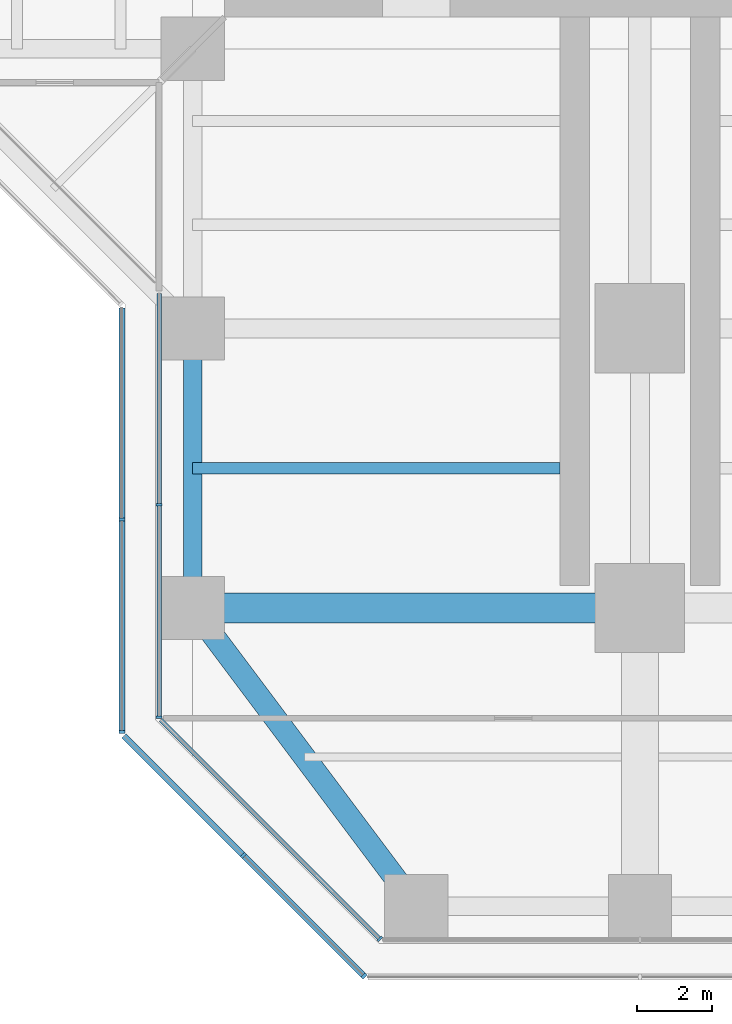
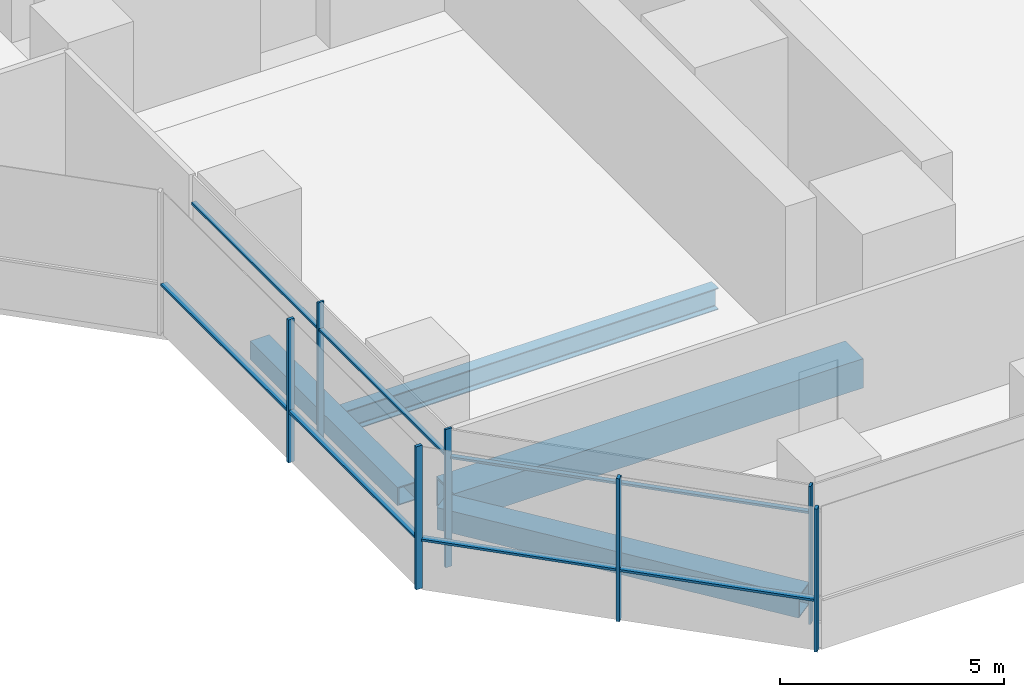
# One storey, part 2 of 22: 14 members, 4 beams, 4 elements without a shape of their own.
"""IFC4 building model written with IfcOpenShell, lengths in metres."""

from ifc_helpers import new_model, si_unit, direction, frame, origin, origin_2d, place, context, subcontext, project, spatial, rectangle, hollow_rectangle, i_section, extrude, material, material_profile, profile_set, type_object, element, aggregate, save


model = new_model("IFC4")

# Units and contexts
model_context = context("Model", 3, precision=1e-05, world=origin(), true_north=direction((0.0, 1.0)))
body_context = subcontext(model_context, "Body", "Model", "MODEL_VIEW")
ifc_project = project(units=[si_unit("LENGTHUNIT", "METRE"), si_unit("AREAUNIT", "SQUARE_METRE"), si_unit("VOLUMEUNIT", "CUBIC_METRE"), si_unit("PLANEANGLEUNIT", "RADIAN"), si_unit("MASSUNIT", "GRAM", prefix="KILO")], contexts=[model_context])

# Site, building, storey
site_placement = place(None, origin())
site = spatial("IfcSite", under=ifc_project, at=site_placement, CompositionType="ELEMENT")
building_placement = place(site_placement, origin())
building = spatial("IfcBuilding", under=site, at=building_placement, Name="Mizan Broadcast Tower", CompositionType="ELEMENT")
storey_placement = place(building_placement, frame((0.0, 0.0, 74.699951171875)))
storey = spatial("IfcBuildingStorey", under=building, at=storey_placement, Name="L15", CompositionType="ELEMENT", Elevation=74.699951171875)

# Beams
ifc_material_1 = material(Name="Steel S355", Category="steel")
ifc_material_profile_1 = material_profile(ifc_material_1, hollow_rectangle(XDim=0.5, YDim=0.5, WallThickness=0.030029296875, at=origin_2d()), Name="BOX 500x500x30")
ifc_profile_set_1 = profile_set([ifc_material_profile_1], Name="Steel S355")
beam_type_1 = type_object("IfcBeamType", Name="EDGE BEAM BOX 500x500x30", PredefinedType="SPANDREL", material=ifc_profile_set_1)
beam_1_placement = place(storey_placement, frame((-12.0, -19.949951171875, -0.3798828125), z_axis=(0.0, -1.0, 0.0), x_axis=(1.0, 0.0, 0.0)))
element("IfcBeam", 1, at=beam_1_placement, inside=storey, type_object=beam_type_1, Name="Edge beam BOX 500x500x30 L15 south arm", PredefinedType="SPANDREL", context=body_context, shape_type="SweptSolid", body=[
    extrude(hollow_rectangle(XDim=0.5, YDim=0.5, WallThickness=0.030029296875, at=origin_2d()), origin(), (0.0, 0.0, 1.0), 6.60009765625),
])
ifc_material_2 = material(Name="Steel S355", Category="steel")
ifc_material_profile_2 = material_profile(ifc_material_2, hollow_rectangle(XDim=0.60009765625, YDim=0.60009765625, WallThickness=0.030029296875, at=origin_2d()), Name="BOX 600x600x30")
ifc_profile_set_2 = profile_set([ifc_material_profile_2], Name="Steel S355")
beam_type_2 = type_object("IfcBeamType", Name="EDGE BEAM BOX 600x600x30", PredefinedType="SPANDREL", material=ifc_profile_set_2)
beam_2_placement = place(storey_placement, frame((-11.639892578125, -27.47998046875, -0.429931640625), z_axis=(0.599982243973, -0.800013316712, 0.0), x_axis=(0.800013316712, 0.599982243973, 0.0)))
element("IfcBeam", 2, at=beam_2_placement, inside=storey, type_object=beam_type_2, Name="Edge beam BOX 600x600x30 L15 south arm", PredefinedType="SPANDREL", context=body_context, shape_type="SweptSolid", body=[
    extrude(hollow_rectangle(XDim=0.60009765625, YDim=0.60009765625, WallThickness=0.030029296875, at=origin_2d()), origin(), (0.0, 0.0, 1.0), 8.7998046875),
])
ifc_material_3 = material(Name="Steel S460", Category="steel")
ifc_material_profile_3 = material_profile(ifc_material_3, hollow_rectangle(XDim=0.800048828125, YDim=0.800048828125, WallThickness=0.050048828125, at=origin_2d()), Name="BOX 800x800x50")
ifc_profile_set_3 = profile_set([ifc_material_profile_3], Name="Steel S460")
beam_type_3 = type_object("IfcBeamType", Name="GIRDER BOX 800x800x50", PredefinedType="BEAM", material=ifc_profile_set_3)
beam_3_placement = place(storey_placement, frame((-11.280029296875, -27.0, -0.530029296875), z_axis=(1.0, 0.0, 0.0), x_axis=(0.0, 1.0, 0.0)))
element("IfcBeam", 3, at=beam_3_placement, inside=storey, type_object=beam_type_3, Name="Girder BOX 800x800x50 L15 south arm", PredefinedType="BEAM", context=body_context, shape_type="SweptSolid", body=[
    extrude(hollow_rectangle(XDim=0.800048828125, YDim=0.800048828125, WallThickness=0.050048828125, at=origin_2d()), origin(), (0.0, 0.0, 1.0), 10.56005859375),
])

# Curtain wall, members
ifc_material_4 = material(Name="Aluminium framed glazing", Category="aluminium")
curtain_wall_type_1 = type_object("IfcCurtainWallType", Name="INNER SKIN LOW ZONE", PredefinedType="USERDEFINED", material=ifc_material_4)
curtain_wall_1_placement = place(storey_placement, origin())
curtain_wall_1 = element("IfcCurtainWall", 4, at=curtain_wall_1_placement, inside=storey, type_object=curtain_wall_type_1, Name="Inner skin low zone L15 S side", ObjectType="INNER SKIN LOW ZONE", PredefinedType="USERDEFINED")
ifc_material_5 = material(Name="Aluminium, pale anodised", Category="aluminium")
ifc_material_profile_4 = material_profile(ifc_material_5, rectangle(XDim=0.159912109375, YDim=0.06005859375, at=origin_2d()), Name="MULLION 160x60")
ifc_profile_set_4 = profile_set([ifc_material_profile_4], Name="Aluminium, pale anodised")
member_type_1 = type_object("IfcMemberType", Name="INNER SKIN MULLION 60x160", PredefinedType="MULLION", material=ifc_profile_set_4)
member_1_placement = place(storey_placement, frame((-12.89990234375, -24.229248046875, 0.0), z_axis=(0.0, 0.0, 1.0), x_axis=(1.0, 0.0, 0.0)))
member_1 = element("IfcMember", 5, at=member_1_placement, type_object=member_type_1, Name="Inner skin low zone L15 S side mullion 2", PredefinedType="MULLION", context=body_context, shape_type="SweptSolid", body=[
    extrude(rectangle(XDim=0.159912109375, YDim=0.06005859375, at=origin_2d()), origin(), (0.0, 0.0, 1.0), 3.77001953125),
])
member_2_placement = place(storey_placement, frame((-12.89990234375, -29.928466796875, 0.0), z_axis=(0.0, 0.0, 1.0), x_axis=(1.0, 0.0, 0.0)))
member_2 = element("IfcMember", 6, at=member_2_placement, type_object=member_type_1, Name="Inner skin low zone L15 S side mullion 3", PredefinedType="MULLION", context=body_context, shape_type="SweptSolid", body=[
    extrude(rectangle(XDim=0.159912109375, YDim=0.06005859375, at=origin_2d()), origin(), (0.0, 0.0, 1.0), 3.77001953125),
])

# Curtain wall, member
curtain_wall_2_placement = place(storey_placement, origin())
curtain_wall_2 = element("IfcCurtainWall", 7, at=curtain_wall_2_placement, inside=storey, type_object=curtain_wall_type_1, Name="Inner skin low zone L15 S chamfer", ObjectType="INNER SKIN LOW ZONE", PredefinedType="USERDEFINED")
member_3_placement = place(storey_placement, frame((-6.979736328125, -35.87890625, 0.0), z_axis=(0.0, 0.0, 1.0), x_axis=(0.707106781187, 0.707106781187, 0.0)))
member_3 = element("IfcMember", 8, at=member_3_placement, type_object=member_type_1, Name="Inner skin low zone L15 S chamfer mullion 2", PredefinedType="MULLION", context=body_context, shape_type="SweptSolid", body=[
    extrude(rectangle(XDim=0.159912109375, YDim=0.06005859375, at=origin_2d()), origin(), (0.0, 0.0, 1.0), 3.77001953125),
])

# Member
ifc_material_6 = material(Name="Aluminium, pale anodised", Category="aluminium")
ifc_material_profile_5 = material_profile(ifc_material_6, rectangle(XDim=0.1201171875, YDim=0.06005859375, at=origin_2d()), Name="TRANSOM 120x60")
ifc_profile_set_5 = profile_set([ifc_material_profile_5], Name="Aluminium, pale anodised")
member_type_2 = type_object("IfcMemberType", Name="INNER SKIN TRANSOM 60x120", PredefinedType="USERDEFINED", material=ifc_profile_set_5)
member_4_placement = place(storey_placement, frame((-12.89990234375, -18.56005859375, 3.030029296875), z_axis=(0.0, -1.0, 0.0), x_axis=(1.0, 0.0, 0.0)))
member_4 = element("IfcMember", 9, at=member_4_placement, type_object=member_type_2, Name="Inner skin low zone L15 S side transom 1.1", ObjectType="TRANSOM", PredefinedType="USERDEFINED", context=body_context, shape_type="SweptSolid", body=[
    extrude(rectangle(XDim=0.1201171875, YDim=0.06005859375, at=origin_2d()), origin(), (0.0, 0.0, 1.0), 5.63916015625),
])

member_5_placement = place(storey_placement, frame((-12.89990234375, -24.25927734375, 3.030029296875), z_axis=(0.0, -1.0, 0.0), x_axis=(1.0, 0.0, 0.0)))
member_5 = element("IfcMember", 10, at=member_5_placement, type_object=member_type_2, Name="Inner skin low zone L15 S side transom 2.1", ObjectType="TRANSOM", PredefinedType="USERDEFINED", context=body_context, shape_type="SweptSolid", body=[
    extrude(rectangle(XDim=0.1201171875, YDim=0.06005859375, at=origin_2d()), origin(), (0.0, 0.0, 1.0), 5.639404296875),
])

aggregate(curtain_wall_1, [member_1, member_2, member_4, member_5])

member_6_placement = place(storey_placement, frame((-12.857666015625, -30.0009765625, 3.030029296875), z_axis=(0.707106781187, -0.707106781187, 0.0), x_axis=(0.707106781187, 0.707106781187, 0.0)))
member_6 = element("IfcMember", 11, at=member_6_placement, type_object=member_type_2, Name="Inner skin low zone L15 S chamfer transom 1.1", ObjectType="TRANSOM", PredefinedType="USERDEFINED", context=body_context, shape_type="SweptSolid", body=[
    extrude(rectangle(XDim=0.1201171875, YDim=0.06005859375, at=origin_2d()), origin(), (0.0, 0.0, 1.0), 8.28271484375),
])

aggregate(curtain_wall_2, [member_3, member_6])

# Curtain wall, members
ifc_material_7 = material(Name="Aluminium framed glazing", Category="aluminium")
curtain_wall_type_2 = type_object("IfcCurtainWallType", Name="OUTER SKIN", PredefinedType="USERDEFINED", material=ifc_material_7)
curtain_wall_3_placement = place(storey_placement, origin())
curtain_wall_3 = element("IfcCurtainWall", 12, at=curtain_wall_3_placement, inside=storey, type_object=curtain_wall_type_2, Name="Outer skin L15 S side", ObjectType="OUTER SKIN", PredefinedType="USERDEFINED")
ifc_material_8 = material(Name="Aluminium, pale anodised", Category="aluminium")
ifc_material_profile_6 = material_profile(ifc_material_8, rectangle(XDim=0.159912109375, YDim=0.080078125, at=origin_2d()), Name="MULLION 160x80")
ifc_profile_set_6 = profile_set([ifc_material_profile_6], Name="Aluminium, pale anodised")
member_type_3 = type_object("IfcMemberType", Name="OUTER SKIN MULLION 80x160", PredefinedType="MULLION", material=ifc_profile_set_6)
member_7_placement = place(storey_placement, frame((-13.89990234375, -24.622802734375, 0.0), z_axis=(0.0, 0.0, 1.0), x_axis=(1.0, 0.0, 0.0)))
member_7 = element("IfcMember", 13, at=member_7_placement, type_object=member_type_3, Name="Outer skin L15 S side mullion 2", PredefinedType="MULLION", context=body_context, shape_type="SweptSolid", body=[
    extrude(rectangle(XDim=0.159912109375, YDim=0.080078125, at=origin_2d()), origin(), (0.0, 0.0, 1.0), 3.900146484375),
])
member_8_placement = place(storey_placement, frame((-13.89990234375, -30.332763671875, 0.0), z_axis=(0.0, 0.0, 1.0), x_axis=(1.0, 0.0, 0.0)))
member_8 = element("IfcMember", 14, at=member_8_placement, type_object=member_type_3, Name="Outer skin L15 S side mullion 3", PredefinedType="MULLION", context=body_context, shape_type="SweptSolid", body=[
    extrude(rectangle(XDim=0.159912109375, YDim=0.080078125, at=origin_2d()), origin(), (0.0, 0.0, 1.0), 3.900146484375),
])

curtain_wall_4_placement = place(storey_placement, origin())
curtain_wall_4 = element("IfcCurtainWall", 15, at=curtain_wall_4_placement, inside=storey, type_object=curtain_wall_type_2, Name="Outer skin L15 S chamfer", ObjectType="OUTER SKIN", PredefinedType="USERDEFINED")
member_9_placement = place(storey_placement, frame((-10.636474609375, -33.636474609375, 0.0), z_axis=(0.0, 0.0, 1.0), x_axis=(0.707106781187, 0.707106781187, 0.0)))
member_9 = element("IfcMember", 16, at=member_9_placement, type_object=member_type_3, Name="Outer skin L15 S chamfer mullion 2", PredefinedType="MULLION", context=body_context, shape_type="SweptSolid", body=[
    extrude(rectangle(XDim=0.159912109375, YDim=0.080078125, at=origin_2d()), origin(), (0.0, 0.0, 1.0), 3.900146484375),
])
member_10_placement = place(storey_placement, frame((-7.401123046875, -36.871826171875, 0.0), z_axis=(0.0, 0.0, 1.0), x_axis=(0.707106781187, 0.707106781187, 0.0)))
member_10 = element("IfcMember", 17, at=member_10_placement, type_object=member_type_3, Name="Outer skin L15 S chamfer mullion 3", PredefinedType="MULLION", context=body_context, shape_type="SweptSolid", body=[
    extrude(rectangle(XDim=0.159912109375, YDim=0.080078125, at=origin_2d()), origin(), (0.0, 0.0, 1.0), 3.900146484375),
])

# Member
ifc_material_9 = material(Name="Aluminium, pale anodised", Category="aluminium")
ifc_material_profile_7 = material_profile(ifc_material_9, rectangle(XDim=0.159912109375, YDim=0.06005859375, at=origin_2d()), Name="TRANSOM 160x60")
ifc_profile_set_7 = profile_set([ifc_material_profile_7], Name="Aluminium, pale anodised")
member_type_4 = type_object("IfcMemberType", Name="OUTER SKIN TRANSOM 60x160", PredefinedType="USERDEFINED", material=ifc_profile_set_7)
member_11_placement = place(storey_placement, frame((-13.89990234375, -18.952880859375, 1.400146484375), z_axis=(0.0, -1.0, 0.0), x_axis=(1.0, 0.0, 0.0)))
member_11 = element("IfcMember", 18, at=member_11_placement, type_object=member_type_4, Name="Outer skin L15 S side transom 1.1", ObjectType="TRANSOM", PredefinedType="USERDEFINED", context=body_context, shape_type="SweptSolid", body=[
    extrude(rectangle(XDim=0.159912109375, YDim=0.06005859375, at=origin_2d()), origin(), (0.0, 0.0, 1.0), 5.6298828125),
])

member_12_placement = place(storey_placement, frame((-13.89990234375, -24.662841796875, 1.400146484375), z_axis=(0.0, -1.0, 0.0), x_axis=(1.0, 0.0, 0.0)))
member_12 = element("IfcMember", 19, at=member_12_placement, type_object=member_type_4, Name="Outer skin L15 S side transom 2.1", ObjectType="TRANSOM", PredefinedType="USERDEFINED", context=body_context, shape_type="SweptSolid", body=[
    extrude(rectangle(XDim=0.159912109375, YDim=0.06005859375, at=origin_2d()), origin(), (0.0, 0.0, 1.0), 5.6298828125),
])

aggregate(curtain_wall_3, [member_7, member_8, member_11, member_12])

member_13_placement = place(storey_placement, frame((-13.843505859375, -30.429443359375, 1.400146484375), z_axis=(0.707106781187, -0.707106781187, 0.0), x_axis=(0.707106781187, 0.707106781187, 0.0)))
member_13 = element("IfcMember", 20, at=member_13_placement, type_object=member_type_4, Name="Outer skin L15 S chamfer transom 1.1", ObjectType="TRANSOM", PredefinedType="USERDEFINED", context=body_context, shape_type="SweptSolid", body=[
    extrude(rectangle(XDim=0.159912109375, YDim=0.06005859375, at=origin_2d()), origin(), (0.0, 0.0, 1.0), 4.495361328125),
])

member_14_placement = place(storey_placement, frame((-10.608154296875, -33.664794921875, 1.400146484375), z_axis=(0.707106781187, -0.707106781187, 0.0), x_axis=(0.707106781187, 0.707106781187, 0.0)))
member_14 = element("IfcMember", 21, at=member_14_placement, type_object=member_type_4, Name="Outer skin L15 S chamfer transom 2.1", ObjectType="TRANSOM", PredefinedType="USERDEFINED", context=body_context, shape_type="SweptSolid", body=[
    extrude(rectangle(XDim=0.159912109375, YDim=0.06005859375, at=origin_2d()), origin(), (0.0, 0.0, 1.0), 4.495361328125),
])

aggregate(curtain_wall_4, [member_9, member_10, member_13, member_14])

# Beam
ifc_material_10 = material(Name="Steel S355", Category="steel")
ifc_material_profile_8 = material_profile(ifc_material_10, i_section(OverallWidth=0.300048828125, OverallDepth=0.590087890625, WebThickness=0.012939453125, FlangeThickness=0.02490234375, FilletRadius=0.027099609375, at=origin_2d()), Name="HEA 600")
ifc_profile_set_8 = profile_set([ifc_material_profile_8], Name="Steel S355")
beam_type_4 = type_object("IfcBeamType", Name="SECONDARY BEAM HEA 600", PredefinedType="JOIST", material=ifc_profile_set_8)
beam_4_placement = place(storey_placement, frame((-12.0, -23.25, -0.425048828125), z_axis=(1.0, 0.0, 0.0), x_axis=(0.0, 1.0, 0.0)))
element("IfcBeam", 22, at=beam_4_placement, inside=storey, type_object=beam_type_4, Name="Secondary beam HEA 600 L15 south arm", PredefinedType="JOIST", context=body_context, shape_type="SweptSolid", body=[
    extrude(i_section(OverallWidth=0.300048828125, OverallDepth=0.590087890625, WebThickness=0.012939453125, FlangeThickness=0.02490234375, FilletRadius=0.027099609375, at=origin_2d()), origin(), (0.0, 0.0, 1.0), 9.85009765625),
])

save(model, "model.ifc")
